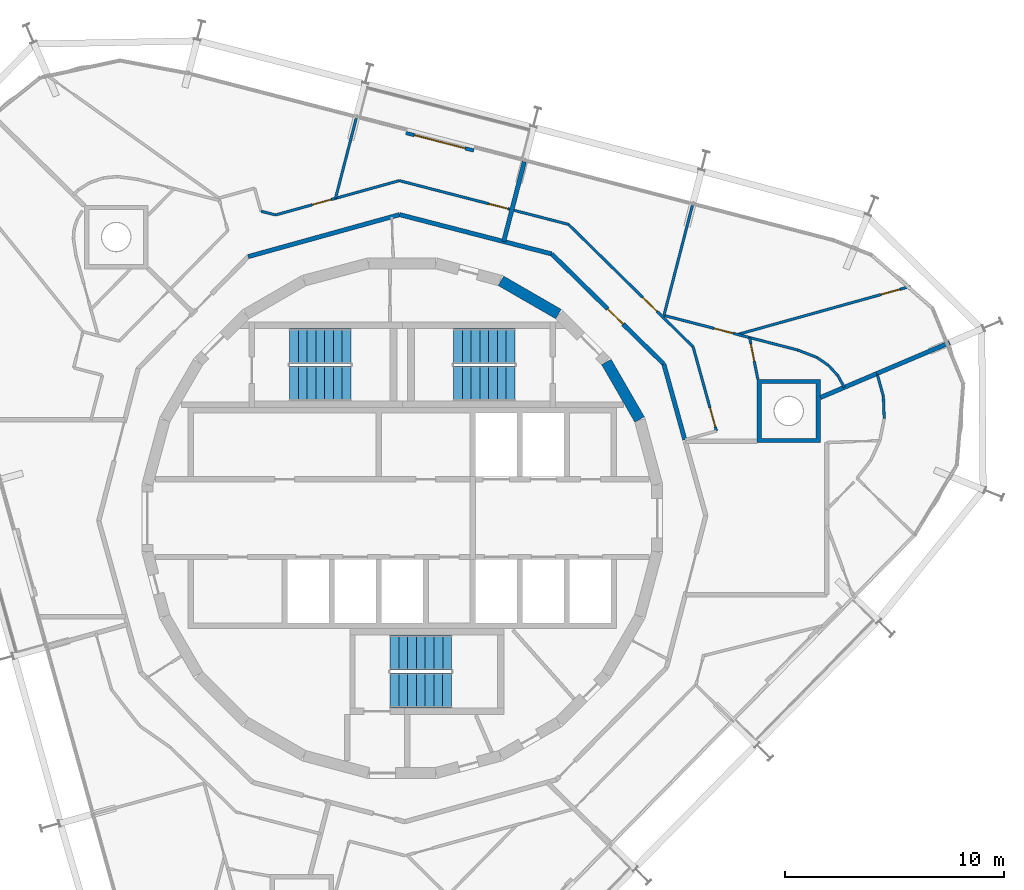
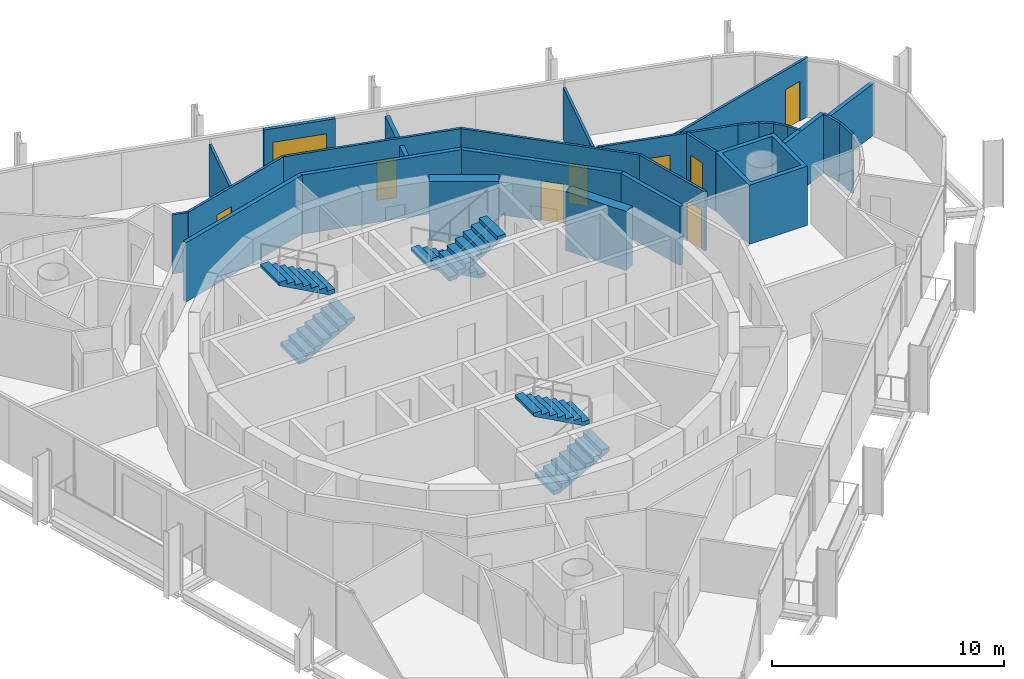
# One storey, part 14 of 15: 27 walls, 9 doors, 6 stair flights, 9 openings, 3 elements without a shape of their own.
"""IFC4 building model written with IfcOpenShell, lengths in metres."""

from ifc_helpers import new_model, si_unit, direction, frame, frame_2d, origin, place, context, subcontext, project, spatial, polyline, rectangle, outline, extrude, material, layer, layer_set, type_object, element, fill, aggregate, save


model = new_model("IFC4")

# Units and contexts
model_context = context("Model", 3, precision=1e-05, world=origin(), true_north=direction((0.0, 1.0)))
body_context = subcontext(model_context, "Body", "Model", "MODEL_VIEW")
ifc_project = project(units=[si_unit("LENGTHUNIT", "METRE"), si_unit("AREAUNIT", "SQUARE_METRE"), si_unit("VOLUMEUNIT", "CUBIC_METRE"), si_unit("PLANEANGLEUNIT", "RADIAN"), si_unit("MASSUNIT", "GRAM", prefix="KILO")], contexts=[model_context])

# Site, building, storey
site_placement = place(None, origin())
site = spatial("IfcSite", under=ifc_project, at=site_placement, CompositionType="ELEMENT")
building_placement = place(site_placement, origin())
building = spatial("IfcBuilding", under=site, at=building_placement, Name="Spindle Arch Residences", CompositionType="ELEMENT")
storey_placement = place(building_placement, frame((0.0, 0.0, 305.199951171875)))
storey = spatial("IfcBuildingStorey", under=building, at=storey_placement, Name="L78", CompositionType="ELEMENT", Elevation=305.199951171875)

# Walls
ifc_material_1 = material(Name="Concrete C50/60", Category="concrete")
ifc_layer_1 = layer(ifc_material_1, 0.5)
ifc_layer_set_1 = layer_set([ifc_layer_1], Name="Core outline wall 500")
wall_type_1 = type_object("IfcWallType", Name="Core outline wall 500", PredefinedType="SHEAR", material=ifc_layer_set_1)
for number, where, z_axis, x_axis, name in (
    (1, (10.84521484375, 4.510498046875, 0.0), (0.0, 0.0, 1.0), (-0.500087131594, 0.865975092491, 0.0), "Core outline wall 8"),
    (2, (7.13671875, 9.32861328125, 0.0), (0.0, 0.0, 1.0), (-0.865975092491, 0.500087131594, 0.0), "Core outline wall 10"),
):
    element("IfcWall", number, at=place(storey_placement, frame(where, z_axis=z_axis, x_axis=x_axis)), inside=storey, type_object=wall_type_1, Name=name, PredefinedType="SHEAR", context=body_context, shape_type="SweptSolid", body=[
        extrude(rectangle(XDim=3.03271484375, YDim=0.5, at=frame_2d((1.516357421875, 0.0))), origin(), (0.0, 0.0, 1.0), 3.1201171875),
    ])
ifc_material_2 = material(Name="Calcium silicate block, plastered")
ifc_layer_2 = layer(ifc_material_2, 0.199951171875)
ifc_layer_set_2 = layer_set([ifc_layer_2], Name="Corridor wall 200")
wall_type_2 = type_object("IfcWallType", Name="Corridor wall 200", PredefinedType="STANDARD", material=ifc_layer_set_2)
wall_1_placement = place(storey_placement, frame((12.91259765625, 3.5810546875, 0.0), z_axis=(0.0, 0.0, 1.0), x_axis=(-0.267223005422, 0.963634715737, 0.0)))
element("IfcWall", 3, at=wall_1_placement, inside=storey, type_object=wall_type_2, Name="Corridor wall R8A0-W006", PredefinedType="STANDARD", context=body_context, shape_type="SweptSolid", body=[
    extrude(rectangle(XDim=3.590576171875, YDim=0.199951171875, at=frame_2d((1.79541015625, 0.0))), origin(), (0.0, 0.0, 1.0), 3.1201171875),
])

# Wall, opening, door
wall_2_placement = place(storey_placement, frame((11.953125, 7.041015625, 0.0), z_axis=(0.0, 0.0, 1.0), x_axis=(-0.713250549143, 0.70090916255, 0.0)))
wall_2 = element("IfcWall", 4, at=wall_2_placement, inside=storey, type_object=wall_type_2, Name="Corridor wall R8A0-W007", PredefinedType="STANDARD", context=body_context, shape_type="SweptSolid", body=[
    extrude(rectangle(XDim=7.180908203125, YDim=0.199951171875, at=frame_2d((3.59033203125, 0.0))), origin(), (0.0, 0.0, 1.0), 3.1201171875),
])
opening_1_placement = place(wall_2_placement, frame((2.60009765625, 0.0, 0.0)))
opening_1 = element("IfcOpeningElement", 5, at=opening_1_placement, cuts=wall_2, Name="Opening R8A0-FD01", PredefinedType="OPENING", context=body_context, shape_type="SweptSolid", body=[
    extrude(rectangle(XDim=1.0, YDim=2.10009765625, at=frame_2d((0.5, 1.050048828125))), frame((0.0, 0.10986328125, 0.0), z_axis=(0.0, -1.0, 0.0), x_axis=(1.0, 0.0, 0.0)), (0.0, 0.0, 1.0), 0.219970703125),
])
ifc_material_3 = material(Name="Timber, fire-resisting door set", Category="wood")
door_type_1 = type_object("IfcDoorType", Name="Flat entrance door 1000x2100", OperationType="NOTDEFINED", PredefinedType="DOOR", material=ifc_material_3)
door_1_placement = place(opening_1_placement, origin())
door_1 = element("IfcDoor", 6, at=door_1_placement, inside=storey, type_object=door_type_1, Name="Flat entrance door R8A0-FD01", OperationType="SINGLE_SWING_LEFT", OverallHeight=2.10009765625, OverallWidth=1.0, PredefinedType="DOOR", context=body_context, shape_type="SweptSolid", body=[
    extrude(rectangle(XDim=1.0, YDim=2.10009765625, at=frame_2d((0.5, 1.050048828125))), frame((0.0, 0.02490234375, 0.0), z_axis=(0.0, -1.0, 0.0), x_axis=(1.0, 0.0, 0.0)), (0.0, 0.0, 1.0), 0.050048828125),
])
fill(opening_1, door_1)

# Walls
for number, where, z_axis, x_axis, name in (
    (7, (6.831298828125, 12.07421875, 0.0), (0.0, 0.0, 1.0), (-0.968144780225, 0.250391063186, 0.0), "Corridor wall R8A0-W008"),
    (8, (-0.12109375, 13.872314453125, 0.0), (0.0, 0.0, 1.0), (-0.963625960674, -0.267254575108, 0.0), "Corridor wall R8A0-W009"),
):
    element("IfcWall", number, at=place(storey_placement, frame(where, z_axis=z_axis, x_axis=x_axis)), inside=storey, type_object=wall_type_2, Name=name, PredefinedType="STANDARD", context=body_context, shape_type="SweptSolid", body=[
        extrude(rectangle(XDim=7.18115234375, YDim=0.199951171875, at=frame_2d((3.590576171875, 0.0))), origin(), (0.0, 0.0, 1.0), 3.1201171875),
    ])

# Wall, opening, door
ifc_material_4 = material(Name="Plasterboard on steel studs", Category="steel")
ifc_layer_3 = layer(ifc_material_4, 0.1201171875)
ifc_layer_set_3 = layer_set([ifc_layer_3], Name="Flat partition 120")
wall_type_3 = type_object("IfcWallType", Name="Flat partition 120", PredefinedType="PARTITIONING", material=ifc_layer_set_3)
wall_3_placement = place(storey_placement, frame((14.358154296875, 3.98193359375, 0.0), z_axis=(0.0, 0.0, 1.0), x_axis=(-0.267233823916, 0.963631715623, 0.0)))
wall_3 = element("IfcWall", 9, at=wall_3_placement, inside=storey, type_object=wall_type_3, Name="Flat partition R8A0-W033", PredefinedType="PARTITIONING", context=body_context, shape_type="SweptSolid", body=[
    extrude(rectangle(XDim=3.992431640625, YDim=0.1201171875, at=frame_2d((1.99609375, 0.0))), origin(), (0.0, 0.0, 1.0), 3.1201171875),
])
opening_2_placement = place(wall_3_placement, frame((0.199951171875, 0.0, 0.0)))
opening_2 = element("IfcOpeningElement", 10, at=opening_2_placement, cuts=wall_3, Name="Opening R8A0-ID01", PredefinedType="OPENING", context=body_context, shape_type="SweptSolid", body=[
    extrude(rectangle(XDim=0.89990234375, YDim=2.10009765625, at=frame_2d((0.449951171875, 1.050048828125))), frame((0.0, 0.070068359375, 0.0), z_axis=(0.0, -1.0, 0.0), x_axis=(1.0, 0.0, 0.0)), (0.0, 0.0, 1.0), 0.14013671875),
])
ifc_material_5 = material(Name="Timber door set", Category="wood")
door_type_2 = type_object("IfcDoorType", Name="Room door 900x2100", OperationType="NOTDEFINED", PredefinedType="DOOR", material=ifc_material_5)
door_2_placement = place(opening_2_placement, origin())
door_2 = element("IfcDoor", 11, at=door_2_placement, inside=storey, type_object=door_type_2, Name="Room door R8A0-ID01", OperationType="SINGLE_SWING_LEFT", OverallHeight=2.10009765625, OverallWidth=0.89990234375, PredefinedType="DOOR", context=body_context, shape_type="SweptSolid", body=[
    extrude(rectangle(XDim=0.89990234375, YDim=2.10009765625, at=frame_2d((0.449951171875, 1.050048828125))), frame((0.0, 0.02490234375, 0.0), z_axis=(0.0, -1.0, 0.0), x_axis=(1.0, 0.0, 0.0)), (0.0, 0.0, 1.0), 0.050048828125),
])
fill(opening_2, door_2)

wall_4_placement = place(storey_placement, frame((13.291259765625, 7.8291015625, 0.0), z_axis=(0.0, 0.0, 1.0), x_axis=(-0.713255978622, 0.700903637428, 0.0)))
wall_4 = element("IfcWall", 12, at=wall_4_placement, inside=storey, type_object=wall_type_3, Name="Flat partition R8A0-W034", PredefinedType="PARTITIONING", context=body_context, shape_type="SweptSolid", body=[
    extrude(rectangle(XDim=7.98486328125, YDim=0.1201171875, at=frame_2d((3.992431640625, 0.0))), origin(), (0.0, 0.0, 1.0), 3.1201171875),
])
opening_3_placement = place(wall_4_placement, frame((2.314208984375, 0.0, 0.0)))
opening_3 = element("IfcOpeningElement", 13, at=opening_3_placement, cuts=wall_4, Name="Opening R8A0-ID02", PredefinedType="OPENING", context=body_context, shape_type="SweptSolid", body=[
    extrude(rectangle(XDim=0.89990234375, YDim=2.10009765625, at=frame_2d((0.449951171875, 1.050048828125))), frame((0.0, 0.070068359375, 0.0), z_axis=(0.0, -1.0, 0.0), x_axis=(1.0, 0.0, 0.0)), (0.0, 0.0, 1.0), 0.14013671875),
])
door_3_placement = place(opening_3_placement, origin())
door_3 = element("IfcDoor", 14, at=door_3_placement, inside=storey, type_object=door_type_2, Name="Room door R8A0-ID02", OperationType="SINGLE_SWING_LEFT", OverallHeight=2.10009765625, OverallWidth=0.89990234375, PredefinedType="DOOR", context=body_context, shape_type="SweptSolid", body=[
    extrude(rectangle(XDim=0.89990234375, YDim=2.10009765625, at=frame_2d((0.449951171875, 1.050048828125))), frame((0.0, 0.02490234375, 0.0), z_axis=(0.0, -1.0, 0.0), x_axis=(1.0, 0.0, 0.0)), (0.0, 0.0, 1.0), 0.050048828125),
])
fill(opening_3, door_3)

wall_5_placement = place(storey_placement, frame((7.595947265625, 13.42578125, 0.0), z_axis=(0.0, 0.0, 1.0), x_axis=(-0.968146656033, 0.250383810203, 0.0)))
wall_5 = element("IfcWall", 15, at=wall_5_placement, inside=storey, type_object=wall_type_3, Name="Flat partition R8A0-W035", PredefinedType="PARTITIONING", context=body_context, shape_type="SweptSolid", body=[
    extrude(rectangle(XDim=7.98486328125, YDim=0.1201171875, at=frame_2d((3.992431640625, 0.0))), origin(), (0.0, 0.0, 1.0), 3.1201171875),
])
opening_4_placement = place(wall_5_placement, frame((2.869873046875, 0.0, 0.0)))
opening_4 = element("IfcOpeningElement", 16, at=opening_4_placement, cuts=wall_5, Name="Opening R8A0-ID05", PredefinedType="OPENING", context=body_context, shape_type="SweptSolid", body=[
    extrude(rectangle(XDim=0.89990234375, YDim=2.10009765625, at=frame_2d((0.449951171875, 1.050048828125))), frame((0.0, 0.070068359375, 0.0), z_axis=(0.0, -1.0, 0.0), x_axis=(1.0, 0.0, 0.0)), (0.0, 0.0, 1.0), 0.14013671875),
])
door_4_placement = place(opening_4_placement, origin())
door_4 = element("IfcDoor", 17, at=door_4_placement, inside=storey, type_object=door_type_2, Name="Room door R8A0-ID05", OperationType="SINGLE_SWING_LEFT", OverallHeight=2.10009765625, OverallWidth=0.89990234375, PredefinedType="DOOR", context=body_context, shape_type="SweptSolid", body=[
    extrude(rectangle(XDim=0.89990234375, YDim=2.10009765625, at=frame_2d((0.449951171875, 1.050048828125))), frame((0.0, 0.02490234375, 0.0), z_axis=(0.0, -1.0, 0.0), x_axis=(1.0, 0.0, 0.0)), (0.0, 0.0, 1.0), 0.050048828125),
])
fill(opening_4, door_4)

# Walls
wall_6_placement = place(storey_placement, frame((20.203369140625, 5.976806640625, 0.0), z_axis=(0.0, 0.0, 1.0), x_axis=(-0.482261544721, 0.876027284098, 0.0)))
element("IfcWall", 18, at=wall_6_placement, inside=storey, type_object=wall_type_3, Name="Flat partition R8A0-W036", PredefinedType="PARTITIONING", context=body_context, shape_type="SweptSolid", body=[
    extrude(rectangle(XDim=0.601318359375, YDim=0.1201171875, at=frame_2d((0.30078125, 0.0))), origin(), (0.0, 0.0, 1.0), 3.1201171875),
])
for number, where, z_axis, x_axis, name in (
    (19, (19.913330078125, 6.503662109375, 0.0), (0.0, 0.0, 1.0), (-0.671251836621, 0.741229365198, 0.0), "Flat partition R8A0-W037"),
    (20, (19.482421875, 6.9794921875, 0.0), (0.0, 0.0, 1.0), (-0.82418616252, 0.566318964463, 0.0), "Flat partition R8A0-W038"),
):
    element("IfcWall", number, at=place(storey_placement, frame(where, z_axis=z_axis, x_axis=x_axis)), inside=storey, type_object=wall_type_3, Name=name, PredefinedType="PARTITIONING", context=body_context, shape_type="SweptSolid", body=[
        extrude(rectangle(XDim=0.641845703125, YDim=0.1201171875, at=frame_2d((0.32080078125, 0.0))), origin(), (0.0, 0.0, 1.0), 3.1201171875),
    ])
wall_7_placement = place(storey_placement, frame((18.953369140625, 7.343017578125, 0.0), z_axis=(0.0, 0.0, 1.0), x_axis=(-0.932458839957, 0.361276226433, 0.0)))
element("IfcWall", 21, at=wall_7_placement, inside=storey, type_object=wall_type_3, Name="Flat partition R8A0-W039", PredefinedType="PARTITIONING", context=body_context, shape_type="SweptSolid", body=[
    extrude(rectangle(XDim=0.94677734375, YDim=0.1201171875, at=frame_2d((0.473388671875, 0.0))), origin(), (0.0, 0.0, 1.0), 3.1201171875),
])

# Wall, opening, door
wall_8_placement = place(storey_placement, frame((18.070556640625, 7.68505859375, 0.0), z_axis=(0.0, 0.0, 1.0), x_axis=(-0.968152245082, 0.250362198309, 0.0)))
wall_8 = element("IfcWall", 22, at=wall_8_placement, inside=storey, type_object=wall_type_3, Name="Flat partition R8A0-W040", PredefinedType="PARTITIONING", context=body_context, shape_type="SweptSolid", body=[
    extrude(rectangle(XDim=6.313232421875, YDim=0.1201171875, at=frame_2d((3.15673828125, 0.0))), origin(), (0.0, 0.0, 1.0), 3.1201171875),
])
opening_5_placement = place(wall_8_placement, frame((3.035888671875, 0.0, 0.0)))
opening_5 = element("IfcOpeningElement", 23, at=opening_5_placement, cuts=wall_8, Name="Opening R8A0-ID03", PredefinedType="OPENING", context=body_context, shape_type="SweptSolid", body=[
    extrude(rectangle(XDim=0.89990234375, YDim=2.10009765625, at=frame_2d((0.449951171875, 1.050048828125))), frame((0.0, 0.070068359375, 0.0), z_axis=(0.0, -1.0, 0.0), x_axis=(1.0, 0.0, 0.0)), (0.0, 0.0, 1.0), 0.14013671875),
])
door_5_placement = place(opening_5_placement, origin())
door_5 = element("IfcDoor", 24, at=door_5_placement, inside=storey, type_object=door_type_2, Name="Room door R8A0-ID03", OperationType="SINGLE_SWING_LEFT", OverallHeight=2.10009765625, OverallWidth=0.89990234375, PredefinedType="DOOR", context=body_context, shape_type="SweptSolid", body=[
    extrude(rectangle(XDim=0.89990234375, YDim=2.10009765625, at=frame_2d((0.449951171875, 1.050048828125))), frame((0.0, 0.02490234375, 0.0), z_axis=(0.0, -1.0, 0.0), x_axis=(1.0, 0.0, 0.0)), (0.0, 0.0, 1.0), 0.050048828125),
])
fill(opening_5, door_5)

wall_9_placement = place(storey_placement, frame((15.873046875, 8.253173828125, 0.0), z_axis=(0.0, 0.0, 1.0), x_axis=(0.19340687816, -0.981118636802, 0.0)))
wall_9 = element("IfcWall", 25, at=wall_9_placement, inside=storey, type_object=wall_type_3, Name="Flat partition R8A0-W041", PredefinedType="PARTITIONING", context=body_context, shape_type="SweptSolid", body=[
    extrude(rectangle(XDim=1.94140625, YDim=0.1201171875, at=frame_2d((0.970703125, 0.0))), origin(), (0.0, 0.0, 1.0), 3.1201171875),
])
opening_6_placement = place(wall_9_placement, frame((0.300048828125, 0.0, 0.0)))
opening_6 = element("IfcOpeningElement", 26, at=opening_6_placement, cuts=wall_9, Name="Opening R8A0-BD01", PredefinedType="OPENING", context=body_context, shape_type="SweptSolid", body=[
    extrude(rectangle(XDim=0.800048828125, YDim=2.10009765625, at=frame_2d((0.39990234375, 1.050048828125))), frame((0.0, 0.070068359375, 0.0), z_axis=(0.0, -1.0, 0.0), x_axis=(1.0, 0.0, 0.0)), (0.0, 0.0, 1.0), 0.14013671875),
])
ifc_material_6 = material(Name="Timber door set", Category="wood")
door_type_3 = type_object("IfcDoorType", Name="Bathroom door 800x2100", OperationType="NOTDEFINED", PredefinedType="DOOR", material=ifc_material_6)
door_6_placement = place(opening_6_placement, origin())
door_6 = element("IfcDoor", 27, at=door_6_placement, inside=storey, type_object=door_type_3, Name="Bathroom door R8A0-BD01", OperationType="SINGLE_SWING_LEFT", OverallHeight=2.10009765625, OverallWidth=0.800048828125, PredefinedType="DOOR", context=body_context, shape_type="SweptSolid", body=[
    extrude(rectangle(XDim=0.800048828125, YDim=2.10009765625, at=frame_2d((0.39990234375, 1.050048828125))), frame((0.0, 0.02490234375, 0.0), z_axis=(0.0, -1.0, 0.0), x_axis=(1.0, 0.0, 0.0)), (0.0, 0.0, 1.0), 0.050048828125),
])
fill(opening_6, door_6)

wall_10_placement = place(storey_placement, frame((23.225341796875, 10.593017578125, 0.0), z_axis=(0.0, 0.0, 1.0), x_axis=(-0.963409492722, -0.268033858559, 0.0)))
wall_10 = element("IfcWall", 28, at=wall_10_placement, inside=storey, type_object=wall_type_3, Name="Flat partition R8A0-W042", PredefinedType="PARTITIONING", context=body_context, shape_type="SweptSolid", body=[
    extrude(rectangle(XDim=8.200439453125, YDim=0.1201171875, at=frame_2d((4.10009765625, 0.0))), origin(), (0.0, 0.0, 1.0), 3.1201171875),
])
opening_7_placement = place(wall_10_placement, frame((0.5, 0.0, 0.0)))
opening_7 = element("IfcOpeningElement", 29, at=opening_7_placement, cuts=wall_10, Name="Opening R8A0-ID04", PredefinedType="OPENING", context=body_context, shape_type="SweptSolid", body=[
    extrude(rectangle(XDim=0.89990234375, YDim=2.10009765625, at=frame_2d((0.449951171875, 1.050048828125))), frame((0.0, 0.070068359375, 0.0), z_axis=(0.0, -1.0, 0.0), x_axis=(1.0, 0.0, 0.0)), (0.0, 0.0, 1.0), 0.14013671875),
])
door_7_placement = place(opening_7_placement, origin())
door_7 = element("IfcDoor", 30, at=door_7_placement, inside=storey, type_object=door_type_2, Name="Room door R8A0-ID04", OperationType="SINGLE_SWING_LEFT", OverallHeight=2.10009765625, OverallWidth=0.89990234375, PredefinedType="DOOR", context=body_context, shape_type="SweptSolid", body=[
    extrude(rectangle(XDim=0.89990234375, YDim=2.10009765625, at=frame_2d((0.449951171875, 1.050048828125))), frame((0.0, 0.02490234375, 0.0), z_axis=(0.0, -1.0, 0.0), x_axis=(1.0, 0.0, 0.0)), (0.0, 0.0, 1.0), 0.050048828125),
])
fill(opening_7, door_7)

wall_11_placement = place(storey_placement, frame((-0.134521484375, 15.425048828125, 0.0), z_axis=(0.0, 0.0, 1.0), x_axis=(-0.963635182689, -0.267221321536, 0.0)))
wall_11 = element("IfcWall", 31, at=wall_11_placement, inside=storey, type_object=wall_type_3, Name="Flat partition R8A0-W044", PredefinedType="PARTITIONING", context=body_context, shape_type="SweptSolid", body=[
    extrude(rectangle(XDim=5.870849609375, YDim=0.1201171875, at=frame_2d((2.935546875, 0.0))), origin(), (0.0, 0.0, 1.0), 3.1201171875),
])
opening_8_placement = place(wall_11_placement, frame((3.225341796875, 0.0, 0.0)))
opening_8 = element("IfcOpeningElement", 32, at=opening_8_placement, cuts=wall_11, Name="Opening R8A0-ID06", PredefinedType="OPENING", context=body_context, shape_type="SweptSolid", body=[
    extrude(rectangle(XDim=0.89990234375, YDim=2.10009765625, at=frame_2d((0.449951171875, 1.050048828125))), frame((0.0, 0.070068359375, 0.0), z_axis=(0.0, -1.0, 0.0), x_axis=(1.0, 0.0, 0.0)), (0.0, 0.0, 1.0), 0.14013671875),
])
door_8_placement = place(opening_8_placement, origin())
door_8 = element("IfcDoor", 33, at=door_8_placement, inside=storey, type_object=door_type_2, Name="Room door R8A0-ID06", OperationType="SINGLE_SWING_RIGHT", OverallHeight=2.10009765625, OverallWidth=0.89990234375, PredefinedType="DOOR", context=body_context, shape_type="SweptSolid", body=[
    extrude(rectangle(XDim=0.89990234375, YDim=2.10009765625, at=frame_2d((0.449951171875, 1.050048828125))), frame((0.0, 0.02490234375, 0.0), z_axis=(0.0, -1.0, 0.0), x_axis=(1.0, 0.0, 0.0)), (0.0, 0.0, 1.0), 0.050048828125),
])
fill(opening_8, door_8)

# Walls
wall_12_placement = place(storey_placement, frame((-5.7919921875, 13.856201171875, 0.0), z_axis=(0.0, 0.0, 1.0), x_axis=(-0.968137965662, 0.250417410425, 0.0)))
element("IfcWall", 34, at=wall_12_placement, inside=storey, type_object=wall_type_3, Name="Flat partition R8A0-W045", PredefinedType="PARTITIONING", context=body_context, shape_type="SweptSolid", body=[
    extrude(rectangle(XDim=0.684326171875, YDim=0.1201171875, at=frame_2d((0.34228515625, 0.0))), origin(), (0.0, 0.0, 1.0), 3.1201171875),
])
for number, where, z_axis, x_axis, name in (
    (35, (21.714599609375, 6.549072265625, 0.0), (0.0, 0.0, 1.0), (0.267222438577, -0.963634872927, 0.0), "Flat partition R8A0-W105"),
    (36, (21.986083984375, 5.570068359375, 0.0), (0.0, 0.0, 1.0), (0.037971633756, -0.999278817463, 0.0), "Flat partition R8A0-W106"),
):
    element("IfcWall", number, at=place(storey_placement, frame(where, z_axis=z_axis, x_axis=x_axis)), inside=storey, type_object=wall_type_3, Name=name, PredefinedType="PARTITIONING", context=body_context, shape_type="SweptSolid", body=[
        extrude(rectangle(XDim=1.015869140625, YDim=0.1201171875, at=frame_2d((0.5078125, 0.0))), origin(), (0.0, 0.0, 1.0), 3.1201171875),
    ])
ifc_material_7 = material(Name="Plasterboard on steel studs", Category="steel")
ifc_layer_4 = layer(ifc_material_7, 0.1201171875)
ifc_layer_set_4 = layer_set([ifc_layer_4], Name="Flat partition 120 under beam 2730")
wall_type_4 = type_object("IfcWallType", Name="Flat partition 120 under beam 2730", PredefinedType="PARTITIONING", material=ifc_layer_set_4)
wall_13_placement = place(storey_placement, frame((13.260498046875, 14.300048828125, 0.0), z_axis=(0.0, 0.0, 1.0), x_axis=(-0.25038206324, -0.968147107834, 0.0)))
element("IfcWall", 37, at=wall_13_placement, inside=storey, type_object=wall_type_4, Name="Flat partition R8A0-W043", PredefinedType="PARTITIONING", context=body_context, shape_type="SweptSolid", body=[
    extrude(rectangle(XDim=5.199951171875, YDim=0.1201171875, at=frame_2d((2.60009765625, 0.0))), origin(), (0.0, 0.0, 1.0), 2.72998046875),
])
wall_14_placement = place(storey_placement, frame((-2.104248046875, 18.2734375, 0.0), z_axis=(0.0, 0.0, 1.0), x_axis=(-0.250390133523, -0.968145020663, 0.0)))
element("IfcWall", 38, at=wall_14_placement, inside=storey, type_object=wall_type_4, Name="Flat partition R8A0-W050", PredefinedType="PARTITIONING", context=body_context, shape_type="SweptSolid", body=[
    extrude(rectangle(XDim=3.77734375, YDim=0.1201171875, at=frame_2d((1.888671875, 0.0))), origin(), (0.0, 0.0, 1.0), 2.72998046875),
])
ifc_material_8 = material(Name="Calcium silicate block, plastered")
ifc_layer_5 = layer(ifc_material_8, 0.199951171875)
ifc_layer_set_5 = layer_set([ifc_layer_5], Name="Flat party wall 200")
wall_type_5 = type_object("IfcWallType", Name="Flat party wall 200", PredefinedType="STANDARD", material=ifc_layer_set_5)
wall_15_placement = place(storey_placement, frame((19.112548828125, 5.513916015625, 0.0), z_axis=(0.0, 0.0, 1.0), x_axis=(0.92047794988, 0.390794503268, 0.0)))
element("IfcWall", 39, at=wall_15_placement, inside=storey, type_object=wall_type_5, Name="Flat party wall R8A0-W024", PredefinedType="STANDARD", context=body_context, shape_type="SweptSolid", body=[
    extrude(rectangle(XDim=2.793212890625, YDim=0.199951171875, at=frame_2d((1.396484375, 0.0))), origin(), (0.0, 0.0, 1.0), 3.1201171875),
])
ifc_material_9 = material(Name="Calcium silicate block, plastered")
ifc_layer_6 = layer(ifc_material_9, 0.199951171875)
ifc_layer_set_6 = layer_set([ifc_layer_6], Name="Flat party wall 200 under beam 2730")
wall_type_6 = type_object("IfcWallType", Name="Flat party wall 200 under beam 2730", PredefinedType="STANDARD", material=ifc_layer_set_6)
wall_16_placement = place(storey_placement, frame((5.578125, 16.286865234375, 0.0), z_axis=(0.0, 0.0, 1.0), x_axis=(-0.250385965992, -0.968146098497, 0.0)))
element("IfcWall", 40, at=wall_16_placement, inside=storey, type_object=wall_type_6, Name="Flat party wall R8A0-W023", PredefinedType="STANDARD", context=body_context, shape_type="SweptSolid", body=[
    extrude(rectangle(XDim=3.7646484375, YDim=0.199951171875, at=frame_2d((1.88232421875, 0.0))), origin(), (0.0, 0.0, 1.0), 2.72998046875),
])
wall_17_placement = place(storey_placement, frame((21.68359375, 6.60546875, 0.0), z_axis=(0.0, 0.0, 1.0), x_axis=(0.920517820403, 0.390700578859, 0.0)))
element("IfcWall", 41, at=wall_17_placement, inside=storey, type_object=wall_type_6, Name="Flat party wall R8A0-W025", PredefinedType="STANDARD", context=body_context, shape_type="SweptSolid", body=[
    extrude(rectangle(XDim=3.61865234375, YDim=0.199951171875, at=frame_2d((1.809326171875, 0.0))), origin(), (0.0, 0.0, 1.0), 2.72998046875),
])

# Wall, opening, door
ifc_material_10 = material(Name="Non-combustible mineral wool insulated aluminium faced external wall (K0)", Category="aluminium")
ifc_layer_7 = layer(ifc_material_10, 0.159912109375)
ifc_layer_set_7 = layer_set([ifc_layer_7], Name="Insulated external wall panel 160")
wall_type_7 = type_object("IfcWallType", Name="Insulated external wall panel 160", PredefinedType="STANDARD", material=ifc_layer_set_7)
wall_18_placement = place(storey_placement, frame((3.265869140625, 16.802001953125, 0.0), z_axis=(0.0, 0.0, 1.0), x_axis=(-0.968144998439, 0.250390219454, 0.0)))
wall_18 = element("IfcWall", 42, at=wall_18_placement, inside=storey, type_object=wall_type_7, Name="External wall L78 bay 7", PredefinedType="STANDARD", context=body_context, shape_type="SweptSolid", body=[
    extrude(rectangle(XDim=3.2001953125, YDim=0.159912109375, at=frame_2d((1.60009765625, 0.0))), origin(), (0.0, 0.0, 1.0), 3.1201171875),
])
opening_9_placement = place(wall_18_placement, frame((0.39990234375, 0.0, 0.0)))
opening_9 = element("IfcOpeningElement", 43, at=opening_9_placement, cuts=wall_18, Name="Opening BD07", PredefinedType="OPENING", context=body_context, shape_type="SweptSolid", body=[
    extrude(rectangle(XDim=2.39990234375, YDim=2.39990234375, at=frame_2d((1.199951171875, 1.199951171875))), frame((0.0, 0.08984375, 0.0), z_axis=(0.0, -1.0, 0.0), x_axis=(1.0, 0.0, 0.0)), (0.0, 0.0, 1.0), 0.179931640625),
])
ifc_material_11 = material(Name="Bronze aluminium frame, tinted double glazing", Category="aluminium")
door_type_4 = type_object("IfcDoorType", Name="Sliding glazed balcony door 2400x2400", OperationType="DOUBLE_DOOR_SLIDING", PredefinedType="DOOR", material=ifc_material_11)
door_9_placement = place(opening_9_placement, origin())
door_9 = element("IfcDoor", 44, at=door_9_placement, inside=storey, type_object=door_type_4, Name="Balcony door BD07", OperationType="DOUBLE_DOOR_SLIDING", OverallHeight=2.39990234375, OverallWidth=2.39990234375, PredefinedType="DOOR", context=body_context, shape_type="SweptSolid", body=[
    extrude(rectangle(XDim=2.39990234375, YDim=2.39990234375, at=frame_2d((1.199951171875, 1.199951171875))), frame((0.0, 0.02490234375, 0.0), z_axis=(0.0, -1.0, 0.0), x_axis=(1.0, 0.0, 0.0)), (0.0, 0.0, 1.0), 0.050048828125),
])
fill(opening_9, door_9)

# Wall
ifc_material_12 = material(Name="Calcium silicate block, plastered")
ifc_layer_8 = layer(ifc_material_12, 0.199951171875)
ifc_layer_set_8 = layer_set([ifc_layer_8], Name="Mega-column casing wall 200")
wall_type_8 = type_object("IfcWallType", Name="Mega-column casing wall 200", PredefinedType="STANDARD", material=ifc_layer_set_8)
wall_19_placement = place(storey_placement, origin())
element("IfcWall", 45, at=wall_19_placement, inside=storey, type_object=wall_type_8, Name="Mega-column casing wall R8A0-WC01", PredefinedType="STANDARD", context=body_context, shape_type="SweptSolid", body=[
    extrude(outline(polyline([(19.112548828125, 6.348388671875), (19.112548828125, 3.4482421875), (16.212646484375, 3.4482421875), (16.212646484375, 6.348388671875), (19.112548828125, 6.348388671875)]), holes=[polyline([(16.41259765625, 3.648193359375), (18.91259765625, 3.648193359375), (18.91259765625, 6.148193359375), (16.41259765625, 6.148193359375), (16.41259765625, 3.648193359375)])]), origin(), (0.0, 0.0, 1.0), 3.1201171875),
])

# Stair, stair flights
ifc_material_13 = material(Name="Concrete C50/60", Category="concrete")
stair_type = type_object("IfcStairType", Name="Exit stair 16 risers", PredefinedType="HALF_TURN_STAIR", material=ifc_material_13)
stair_1_placement = place(storey_placement, origin())
stair_1 = element("IfcStair", 46, at=stair_1_placement, inside=storey, type_object=stair_type, Name="L78 Exit stair ST1", PredefinedType="HALF_TURN_STAIR")
ifc_material_14 = material(Name="Concrete C50/60", Category="concrete")
stair_flight_type = type_object("IfcStairFlightType", Name="Exit stair flight", PredefinedType="STRAIGHT", material=ifc_material_14)
stair_flight_1_placement = place(storey_placement, frame((5.14990234375, 7.8701171875, 0.0), z_axis=(0.0, 0.0, 1.0), x_axis=(-1.0, 0.0, 0.0)))
stair_flight_1 = element("IfcStairFlight", 47, at=stair_flight_1_placement, type_object=stair_flight_type, Name="ST1 flight 1", NumberOfRisers=8, NumberOfTreads=7, PredefinedType="STRAIGHT", RiserHeight=0.21875, TreadLength=0.4, context=body_context, shape_type="SweptSolid", body=[
    extrude(outline(polyline([(0.0, 0.0), (0.0, 0.21875), (0.39990234375, 0.21875), (0.39990234375, 0.4375), (0.800048828125, 0.4375), (0.800048828125, 0.65625), (1.199951171875, 0.65625), (1.199951171875, 0.875), (1.60009765625, 0.875), (1.60009765625, 1.09375), (2.0, 1.09375), (2.0, 1.3125), (2.39990234375, 1.3125), (2.39990234375, 1.53125), (2.800048828125, 1.53125), (2.800048828125, 1.75), (2.800048828125, 1.3603515625), (0.3125, 0.0), (0.0, 0.0)])), frame((0.0, 0.800048828125, 0.0), z_axis=(0.0, -1.0, 0.0), x_axis=(1.0, 0.0, 0.0)), (0.0, 0.0, 1.0), 1.60009765625),
])
stair_flight_2_placement = place(storey_placement, frame((2.35009765625, 6.14990234375, 1.75), z_axis=(0.0, 0.0, 1.0), x_axis=(1.0, 0.0, 0.0)))
stair_flight_2 = element("IfcStairFlight", 48, at=stair_flight_2_placement, type_object=stair_flight_type, Name="ST1 flight 2", NumberOfRisers=8, NumberOfTreads=7, PredefinedType="STRAIGHT", RiserHeight=0.21875, TreadLength=0.4, context=body_context, shape_type="SweptSolid", body=[
    extrude(outline(polyline([(0.0, 0.0), (0.0, 0.21875), (0.39990234375, 0.21875), (0.39990234375, 0.4375), (0.800048828125, 0.4375), (0.800048828125, 0.65625), (1.199951171875, 0.65625), (1.199951171875, 0.875), (1.60009765625, 0.875), (1.60009765625, 1.09375), (2.0, 1.09375), (2.0, 1.3125), (2.39990234375, 1.3125), (2.39990234375, 1.53125), (2.800048828125, 1.53125), (2.800048828125, 1.75), (2.800048828125, 1.3603515625), (0.3125, 0.0), (0.0, 0.0)])), frame((0.0, 0.800048828125, 0.0), z_axis=(0.0, -1.0, 0.0), x_axis=(1.0, 0.0, 0.0)), (0.0, 0.0, 1.0), 1.60009765625),
])
aggregate(stair_1, [stair_flight_1, stair_flight_2])

stair_2_placement = place(storey_placement, origin())
stair_2 = element("IfcStair", 49, at=stair_2_placement, inside=storey, type_object=stair_type, Name="L78 Exit stair ST2", PredefinedType="HALF_TURN_STAIR")
stair_flight_3_placement = place(storey_placement, frame((-5.14990234375, 6.14990234375, 0.0), z_axis=(0.0, 0.0, 1.0), x_axis=(1.0, 0.0, 0.0)))
stair_flight_3 = element("IfcStairFlight", 50, at=stair_flight_3_placement, type_object=stair_flight_type, Name="ST2 flight 1", NumberOfRisers=8, NumberOfTreads=7, PredefinedType="STRAIGHT", RiserHeight=0.21875, TreadLength=0.4, context=body_context, shape_type="SweptSolid", body=[
    extrude(outline(polyline([(0.0, 0.0), (0.0, 0.21875), (0.39990234375, 0.21875), (0.39990234375, 0.4375), (0.800048828125, 0.4375), (0.800048828125, 0.65625), (1.199951171875, 0.65625), (1.199951171875, 0.875), (1.60009765625, 0.875), (1.60009765625, 1.09375), (2.0, 1.09375), (2.0, 1.3125), (2.39990234375, 1.3125), (2.39990234375, 1.53125), (2.800048828125, 1.53125), (2.800048828125, 1.75), (2.800048828125, 1.3603515625), (0.3125, 0.0), (0.0, 0.0)])), frame((0.0, 0.800048828125, 0.0), z_axis=(0.0, -1.0, 0.0), x_axis=(1.0, 0.0, 0.0)), (0.0, 0.0, 1.0), 1.60009765625),
])
stair_flight_4_placement = place(storey_placement, frame((-2.35009765625, 7.8701171875, 1.75), z_axis=(0.0, 0.0, 1.0), x_axis=(-1.0, 0.0, 0.0)))
stair_flight_4 = element("IfcStairFlight", 51, at=stair_flight_4_placement, type_object=stair_flight_type, Name="ST2 flight 2", NumberOfRisers=8, NumberOfTreads=7, PredefinedType="STRAIGHT", RiserHeight=0.21875, TreadLength=0.4, context=body_context, shape_type="SweptSolid", body=[
    extrude(outline(polyline([(0.0, 0.0), (0.0, 0.21875), (0.39990234375, 0.21875), (0.39990234375, 0.4375), (0.800048828125, 0.4375), (0.800048828125, 0.65625), (1.199951171875, 0.65625), (1.199951171875, 0.875), (1.60009765625, 0.875), (1.60009765625, 1.09375), (2.0, 1.09375), (2.0, 1.3125), (2.39990234375, 1.3125), (2.39990234375, 1.53125), (2.800048828125, 1.53125), (2.800048828125, 1.75), (2.800048828125, 1.3603515625), (0.3125, 0.0), (0.0, 0.0)])), frame((0.0, 0.800048828125, 0.0), z_axis=(0.0, -1.0, 0.0), x_axis=(1.0, 0.0, 0.0)), (0.0, 0.0, 1.0), 1.60009765625),
])
aggregate(stair_2, [stair_flight_3, stair_flight_4])

stair_3_placement = place(storey_placement, origin())
stair_3 = element("IfcStair", 52, at=stair_3_placement, inside=storey, type_object=stair_type, Name="L78 Exit stair ST3", PredefinedType="HALF_TURN_STAIR")
stair_flight_5_placement = place(storey_placement, frame((-0.550048828125, -7.8701171875, 0.0), z_axis=(0.0, 0.0, 1.0), x_axis=(1.0, 0.0, 0.0)))
stair_flight_5 = element("IfcStairFlight", 53, at=stair_flight_5_placement, type_object=stair_flight_type, Name="ST3 flight 1", NumberOfRisers=8, NumberOfTreads=7, PredefinedType="STRAIGHT", RiserHeight=0.21875, TreadLength=0.4, context=body_context, shape_type="SweptSolid", body=[
    extrude(outline(polyline([(0.0, 0.0), (0.0, 0.21875), (0.39990234375, 0.21875), (0.39990234375, 0.4375), (0.800048828125, 0.4375), (0.800048828125, 0.65625), (1.199951171875, 0.65625), (1.199951171875, 0.875), (1.60009765625, 0.875), (1.60009765625, 1.09375), (2.0, 1.09375), (2.0, 1.3125), (2.39990234375, 1.3125), (2.39990234375, 1.53125), (2.800048828125, 1.53125), (2.800048828125, 1.75), (2.800048828125, 1.3603515625), (0.3125, 0.0), (0.0, 0.0)])), frame((0.0, 0.800048828125, 0.0), z_axis=(0.0, -1.0, 0.0), x_axis=(1.0, 0.0, 0.0)), (0.0, 0.0, 1.0), 1.60009765625),
])
stair_flight_6_placement = place(storey_placement, frame((2.25, -6.14990234375, 1.75), z_axis=(0.0, 0.0, 1.0), x_axis=(-1.0, 0.0, 0.0)))
stair_flight_6 = element("IfcStairFlight", 54, at=stair_flight_6_placement, type_object=stair_flight_type, Name="ST3 flight 2", NumberOfRisers=8, NumberOfTreads=7, PredefinedType="STRAIGHT", RiserHeight=0.21875, TreadLength=0.4, context=body_context, shape_type="SweptSolid", body=[
    extrude(outline(polyline([(0.0, 0.0), (0.0, 0.21875), (0.39990234375, 0.21875), (0.39990234375, 0.4375), (0.800048828125, 0.4375), (0.800048828125, 0.65625), (1.199951171875, 0.65625), (1.199951171875, 0.875), (1.60009765625, 0.875), (1.60009765625, 1.09375), (2.0, 1.09375), (2.0, 1.3125), (2.39990234375, 1.3125), (2.39990234375, 1.53125), (2.800048828125, 1.53125), (2.800048828125, 1.75), (2.800048828125, 1.3603515625), (0.3125, 0.0), (0.0, 0.0)])), frame((0.0, 0.800048828125, 0.0), z_axis=(0.0, -1.0, 0.0), x_axis=(1.0, 0.0, 0.0)), (0.0, 0.0, 1.0), 1.60009765625),
])
aggregate(stair_3, [stair_flight_5, stair_flight_6])

save(model, "model.ifc")
